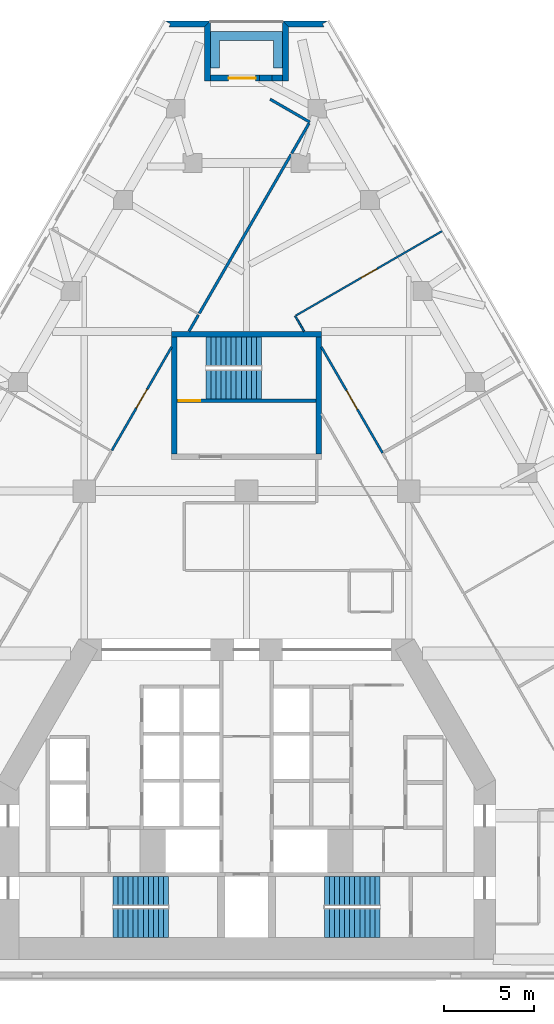
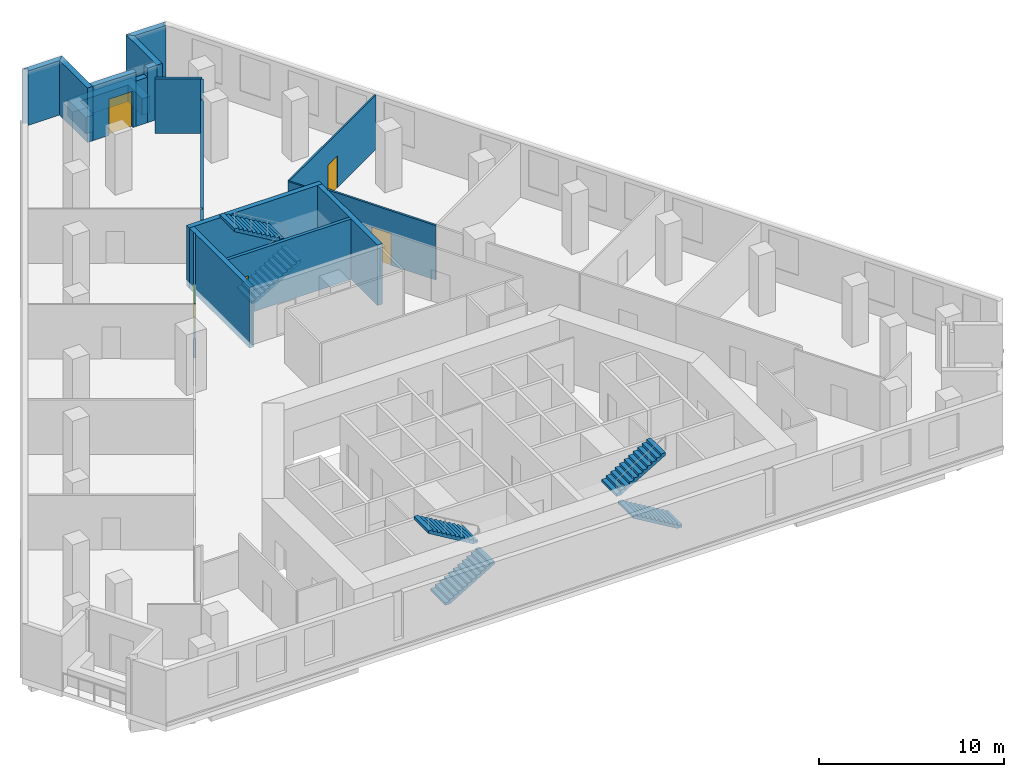
# One storey, part 8 of 9: 20 walls, 6 stair flights, 5 doors, 5 openings, 3 elements without a shape of their own.
"""IFC4 building model written with IfcOpenShell, lengths in metres."""

import ifcopenshell
import ifcopenshell.guid

model = None  # the IFC model being written
_history = None  # IfcOwnerHistory: only IFC2X3 demands one
_inside = {}  # id of a spatial element -> (the spatial element, [elements in it])
_under = {}  # id of a project, library or spatial element -> (it, [spatial elements below it])
_declared = {}  # id of a project -> (the project, [libraries it declares])
_typed = {}  # id of a type object -> (the type object, [elements of that type])
_made_of = {}  # id of a material, layer set ... -> (it, [elements and type objects made of it])


def new_model(schema):
    """Start an empty IFC model of exactly this schema.

    Asked for "IFC4X3", IfcOpenShell would pick the latest addendum, in which some entities
    have other attributes; the version numbers below select the first issue.
    IFC2X3 requires an IfcOwnerHistory on every rooted entity: one is made here for all.
    """
    global model, _history
    if schema == "IFC4X3":
        model = ifcopenshell.file(schema_version=(4, 3, 0, 0))
    else:
        model = ifcopenshell.file(schema=schema)
    _inside.clear()
    _under.clear()
    _declared.clear()
    _typed.clear()
    _made_of.clear()
    _history = None
    if model.schema == "IFC2X3":
        org = make("IfcOrganization", Name="unknown")
        user = make(
            "IfcPersonAndOrganization",
            ThePerson=make("IfcPerson", FamilyName="unknown"),
            TheOrganization=org,
        )
        app = make(
            "IfcApplication",
            ApplicationDeveloper=org,
            Version="unknown",
            ApplicationFullName="unknown",
            ApplicationIdentifier="unknown",
        )
        _history = make(
            "IfcOwnerHistory",
            OwningUser=user,
            OwningApplication=app,
            ChangeAction="ADDED",
            CreationDate=0,
        )
    return model


def make(cls, **values):
    """One entity of the class cls with the attributes given. An attribute that is None is left unset."""
    return model.create_entity(
        cls, **{name: value for name, value in values.items() if value is not None}
    )


def rooted(cls, **values):
    """An entity with a GlobalId (a new one), such as an element, a storey or a relation."""
    return make(cls, GlobalId=ifcopenshell.guid.new(), OwnerHistory=_history, **values)


def si_unit(unit_type, name, prefix=None):
    """IfcSIUnit, for example si_unit("LENGTHUNIT", "METRE", prefix="MILLI")."""
    return make("IfcSIUnit", UnitType=unit_type, Prefix=prefix, Name=name)


def assignment(units):
    """IfcUnitAssignment: the units of a project."""
    return None if units is None else make("IfcUnitAssignment", Units=units)


def point(xyz):
    """IfcCartesianPoint."""
    return None if xyz is None else make("IfcCartesianPoint", Coordinates=xyz)


def direction(xyz):
    """IfcDirection."""
    return None if xyz is None else make("IfcDirection", DirectionRatios=xyz)


def frame(location, z_axis=None, x_axis=None):
    """IfcAxis2Placement3D, a coordinate frame: its origin and axes. An axis left out is left unset."""
    return make(
        "IfcAxis2Placement3D",
        Location=point(location),
        Axis=direction(z_axis),
        RefDirection=direction(x_axis),
    )


def frame_2d(location, x_axis=None):
    """IfcAxis2Placement2D, a coordinate frame in the plane: its origin and x axis."""
    return make(
        "IfcAxis2Placement2D", Location=point(location), RefDirection=direction(x_axis)
    )


def origin():
    """The frame at (0, 0, 0) with its axes left unset."""
    return frame((0.0, 0.0, 0.0))


def place(relative_to, where):
    """IfcLocalPlacement: puts the frame where relative to a parent placement (None: the world)."""
    return make(
        "IfcLocalPlacement", PlacementRelTo=relative_to, RelativePlacement=where
    )


def context(
    kind, dimensions, precision=None, world=None, true_north=None, identifier=None
):
    """IfcGeometricRepresentationContext, for example the 3D "Model" context."""
    return make(
        "IfcGeometricRepresentationContext",
        ContextIdentifier=identifier,
        ContextType=kind,
        CoordinateSpaceDimension=dimensions,
        Precision=precision,
        WorldCoordinateSystem=world,
        TrueNorth=true_north,
    )


def subcontext(parent, identifier, kind, view, scale=None):
    """IfcGeometricRepresentationSubContext, for example "Body" below "Model"."""
    return make(
        "IfcGeometricRepresentationSubContext",
        ContextIdentifier=identifier,
        ContextType=kind,
        ParentContext=parent,
        TargetScale=scale,
        TargetView=view,
    )


def project(units=None, contexts=None):
    """IfcProject with its units and contexts."""
    return rooted(
        "IfcProject",
        Name="project",
        RepresentationContexts=contexts,
        UnitsInContext=assignment(units),
    )


def spatial(cls, under=None, at=None, **own):
    """A site, building, storey or space (cls), placed at a placement, below another one or the project."""
    s = rooted(cls, ObjectPlacement=at, **own)
    if under is not None:
        _under.setdefault(under.id(), (under, []))[1].append(s)
    return s


def polyline(points):
    """IfcPolyline through the points."""
    return make("IfcPolyline", Points=[point(p) for p in points])


def profile(cls, at=None, kind="AREA", **sizes):
    """A parametric profile (cls). Its sizes go by their IFC names, for example OverallWidth=200.0."""
    return make(cls, ProfileType=kind, Position=at, **sizes)


def rectangle(**sizes):
    """IfcRectangleProfileDef."""
    return profile("IfcRectangleProfileDef", **sizes)


def outline(outer, holes=None, kind="AREA"):
    """IfcArbitraryClosedProfileDef: a profile drawn as a closed curve; with holes, ...WithVoids."""
    if holes is None:
        return make("IfcArbitraryClosedProfileDef", ProfileType=kind, OuterCurve=outer)
    return make(
        "IfcArbitraryProfileDefWithVoids",
        ProfileType=kind,
        OuterCurve=outer,
        InnerCurves=holes,
    )


def extrude(swept, where, along, depth):
    """IfcExtrudedAreaSolid: the profile swept, set in the frame where, extruded along a direction by depth."""
    return make(
        "IfcExtrudedAreaSolid",
        SweptArea=swept,
        Position=where,
        ExtrudedDirection=direction(along),
        Depth=depth,
    )


def shape(context_of_items, identifier, shape_type, items):
    """IfcShapeRepresentation: the items that make up one representation, for example the "Body"."""
    return make(
        "IfcShapeRepresentation",
        ContextOfItems=context_of_items,
        RepresentationIdentifier=identifier,
        RepresentationType=shape_type,
        Items=items,
    )


def material(Name=None, Category=None):
    """IfcMaterial."""
    return make("IfcMaterial", Name=Name, Category=Category)


def layer(
    of_material, thickness, ventilated=None, Name=None, Category=None, Priority=None
):
    """IfcMaterialLayer: one layer of a wall or slab, of a material (None: an air gap)."""
    return make(
        "IfcMaterialLayer",
        Material=of_material,
        LayerThickness=thickness,
        IsVentilated=ventilated,
        Name=Name,
        Category=Category,
        Priority=Priority,
    )


def layer_set(layers, Name=None):
    """IfcMaterialLayerSet."""
    return make("IfcMaterialLayerSet", MaterialLayers=layers, LayerSetName=Name)


def made_of(thing, what):
    """Note that an element or type object is made of a material, layer set ...; save() writes the relation."""
    if what is not None:
        _made_of.setdefault(what.id(), (what, []))[1].append(thing)
    return thing


def type_object(cls, material=None, **own):
    """A type object (cls), such as IfcWallType, which elements share."""
    return made_of(rooted(cls, **own), material)


def element(
    cls,
    number,
    at=None,
    inside=None,
    cuts=None,
    type_object=None,
    material=None,
    context=None,
    identifier="Body",
    shape_type=None,
    held_by="IfcProductDefinitionShape",
    body=None,
    shapes=None,
    **own,
):
    """One element of the class cls, such as IfcWall. Its Tag is "e" and its number.

    at: its placement. inside: the storey or other place that contains it. cuts: it is an
    opening in that element (IfcRelVoidsElement). A single representation is given by context,
    identifier, shape_type and body (its items); several are given by shapes. held_by: the class
    of the entity that holds the representations. save() writes the other relations.
    """
    e = rooted(cls, Tag="e%d" % number, ObjectPlacement=at, **own)
    if body is not None:
        shapes = [shape(context, identifier, shape_type, body)]
    if shapes is not None:
        e.Representation = make(held_by, Representations=shapes)
    if inside is not None:
        _inside.setdefault(inside.id(), (inside, []))[1].append(e)
    if cuts is not None:
        rooted(
            "IfcRelVoidsElement", RelatingBuildingElement=cuts, RelatedOpeningElement=e
        )
    if type_object is not None:
        _typed.setdefault(type_object.id(), (type_object, []))[1].append(e)
    return made_of(e, material)


def fill(opening, filler):
    """IfcRelFillsElement: the door or window that sits in an opening."""
    return rooted(
        "IfcRelFillsElement",
        RelatingOpeningElement=opening,
        RelatedBuildingElement=filler,
    )


def aggregate(whole, parts):
    """IfcRelAggregates: a whole, such as a stair, and the parts it consists of."""
    return rooted("IfcRelAggregates", RelatingObject=whole, RelatedObjects=parts)


def save(model, path):
    """Write the relations noted so far, then the file.

    IfcRelAggregates (storeys below a building ...), IfcRelContainedInSpatialStructure (elements
    in a storey), IfcRelDefinesByType, IfcRelAssociatesMaterial and IfcRelDeclares: one each for
    every whole, place, type object, material and project.
    """
    for whole, parts in _under.values():
        aggregate(whole, parts)
    for where, things in _inside.values():
        rooted(
            "IfcRelContainedInSpatialStructure",
            RelatedElements=things,
            RelatingStructure=where,
        )
    for kind, things in _typed.values():
        rooted("IfcRelDefinesByType", RelatedObjects=things, RelatingType=kind)
    for what, things in _made_of.values():
        rooted("IfcRelAssociatesMaterial", RelatedObjects=things, RelatingMaterial=what)
    for by, libraries in _declared.values():
        rooted("IfcRelDeclares", RelatingContext=by, RelatedDefinitions=libraries)
    model.write(path)


model = new_model("IFC4")

# Units and contexts
model_context = context("Model", 3, precision=1e-05, world=origin(), true_north=direction((0.0, 1.0)))
body_context = subcontext(model_context, "Body", "Model", "MODEL_VIEW")
ifc_project = project(units=[si_unit("LENGTHUNIT", "METRE"), si_unit("AREAUNIT", "SQUARE_METRE"), si_unit("VOLUMEUNIT", "CUBIC_METRE"), si_unit("PLANEANGLEUNIT", "RADIAN"), si_unit("MASSUNIT", "GRAM", prefix="KILO")], contexts=[model_context])

# Site, building, storey
site_placement = place(None, origin())
site = spatial("IfcSite", under=ifc_project, at=site_placement, CompositionType="ELEMENT")
building_placement = place(site_placement, origin())
building = spatial("IfcBuilding", under=site, at=building_placement, Name="Fogline Exchange Tower", CompositionType="ELEMENT")
storey_placement = place(building_placement, frame((0.0, 0.0, 104.10009765625)))
storey = spatial("IfcBuildingStorey", under=building, at=storey_placement, Name="L22", CompositionType="ELEMENT", Elevation=104.10009765625)

# Wall, opening, door
ifc_material_1 = material(Name="Concrete C40", Category="concrete")
ifc_layer_1 = layer(ifc_material_1, 0.199951171875)
ifc_layer_set_1 = layer_set([ifc_layer_1], Name="CW20R")
wall_type_1 = type_object("IfcWallType", Name="CW20R", PredefinedType="SOLIDWALL", material=ifc_layer_set_1)
wall_1_placement = place(storey_placement, frame((-3.85009765625, 32.007080078125, -0.400146484375), z_axis=(0.0, 0.0, 1.0), x_axis=(1.0, 0.0, 0.0)))
wall_1 = element("IfcWall", 1, at=wall_1_placement, inside=storey, type_object=wall_type_1, Name="Stair enclosure wall ST3", PredefinedType="SOLIDWALL", context=body_context, shape_type="SweptSolid", body=[
    extrude(rectangle(XDim=7.7001953125, YDim=0.199951171875, at=frame_2d((3.85009765625, 0.0))), origin(), (0.0, 0.0, 1.0), 4.0),
])
opening_1_placement = place(wall_1_placement, frame((0.10009765625, 0.0, 0.39990234375)))
opening_1 = element("IfcOpeningElement", 2, at=opening_1_placement, cuts=wall_1, Name="Opening T06-C023", PredefinedType="OPENING", context=body_context, shape_type="SweptSolid", body=[
    extrude(rectangle(XDim=1.199951171875, YDim=2.10009765625, at=frame_2d((0.60009765625, 1.050048828125))), frame((0.0, 0.10986328125, 0.0), z_axis=(0.0, -1.0, 0.0), x_axis=(1.0, 0.0, 0.0)), (0.0, 0.0, 1.0), 0.219970703125),
])
ifc_material_2 = material(Name="Steel and timber fire door", Category="steel")
door_type_1 = type_object("IfcDoorType", Name="D-ST1", OperationType="SINGLE_SWING_LEFT", PredefinedType="DOOR", material=ifc_material_2)
door_1_placement = place(opening_1_placement, origin())
door_1 = element("IfcDoor", 3, at=door_1_placement, inside=storey, type_object=door_type_1, Name="Stair door ST3", OperationType="SINGLE_SWING_LEFT", OverallHeight=2.10009765625, OverallWidth=1.199951171875, PredefinedType="DOOR", context=body_context, shape_type="SweptSolid", body=[
    extrude(rectangle(XDim=1.199951171875, YDim=2.10009765625, at=frame_2d((0.60009765625, 1.050048828125))), frame((0.0, 0.02490234375, 0.0), z_axis=(0.0, -1.0, 0.0), x_axis=(1.0, 0.0, 0.0)), (0.0, 0.0, 1.0), 0.050048828125),
])
fill(opening_1, door_1)

# Walls
ifc_layer_2 = layer(ifc_material_1, 0.300048828125)
ifc_layer_set_2 = layer_set([ifc_layer_2], Name="CW30")
wall_type_2 = type_object("IfcWallType", Name="CW30", PredefinedType="SOLIDWALL", material=ifc_layer_set_2)
wall_2_placement = place(storey_placement, frame((-4.14990234375, 35.70703125, -0.400146484375), z_axis=(0.0, 0.0, 1.0), x_axis=(1.0, 0.0, 0.0)))
element("IfcWall", 4, at=wall_2_placement, inside=storey, type_object=wall_type_2, Name="Stair enclosure wall ST3", PredefinedType="SOLIDWALL", context=body_context, shape_type="SweptSolid", body=[
    extrude(rectangle(XDim=8.2998046875, YDim=0.300048828125, at=frame_2d((4.14990234375, 0.0))), origin(), (0.0, 0.0, 1.0), 4.0),
])
for number, where, z_axis, x_axis, name in (
    (5, (-4.0, 29.056884765625, -0.400146484375), (0.0, 0.0, 1.0), (0.0, 1.0, 0.0), "Stair enclosure wall ST3"),
    (6, (4.0, 29.056884765625, -0.400146484375), (0.0, 0.0, 1.0), (0.0, 1.0, 0.0), "Stair enclosure wall ST3"),
):
    element("IfcWall", number, at=place(storey_placement, frame(where, z_axis=z_axis, x_axis=x_axis)), inside=storey, type_object=wall_type_2, Name=name, PredefinedType="SOLIDWALL", context=body_context, shape_type="SweptSolid", body=[
        extrude(rectangle(XDim=6.5, YDim=0.300048828125, at=frame_2d((3.25, 0.0))), origin(), (0.0, 0.0, 1.0), 4.0),
    ])
ifc_material_3 = material(Name="Brick masonry", Category="masonry")
ifc_layer_3 = layer(ifc_material_3, 0.340087890625)
ifc_layer_set_3 = layer_set([ifc_layer_3], Name="FW1")
wall_type_3 = type_object("IfcWallType", Name="FW1", PredefinedType="SOLIDWALL", material=ifc_layer_set_3)
wall_3_placement = place(storey_placement, origin())
element("IfcWall", 7, at=wall_3_placement, inside=storey, type_object=wall_type_3, Name="Brick wall L22 N-c1", PredefinedType="SOLIDWALL", context=body_context, shape_type="SweptSolid", body=[
    extrude(outline(polyline([(1.9990234375, 53.067138671875), (4.5009765625, 53.067138671875), (4.501220703125, 53.066650390625), (4.206298828125, 52.896484375), (4.3046875, 52.72607421875), (2.33984375, 52.72607421875), (1.998779296875, 53.06689453125), (1.9990234375, 53.067138671875)])), origin(), (0.0, 0.0, 1.0), 3.599853515625),
])
wall_4_placement = place(storey_placement, origin())
element("IfcWall", 8, at=wall_4_placement, inside=storey, type_object=wall_type_3, Name="Brick wall L22 N-s1", PredefinedType="SOLIDWALL", context=body_context, shape_type="SweptSolid", body=[
    extrude(outline(polyline([(2.340576171875, 49.72607421875), (1.99951171875, 49.72607421875), (1.99951171875, 53.067626953125), (1.999755859375, 53.06787109375), (2.340576171875, 52.726806640625), (2.340576171875, 49.72607421875)])), origin(), (0.0, 0.0, 1.0), 3.599853515625),
])
wall_5_placement = place(storey_placement, frame((2.0, 49.896728515625, 0.0), z_axis=(0.0, 0.0, 1.0), x_axis=(-1.0, 0.0, 0.0)))
element("IfcWall", 9, at=wall_5_placement, inside=storey, type_object=wall_type_3, Name="Brick wall L22 N-bk", PredefinedType="SOLIDWALL", context=body_context, shape_type="SweptSolid", body=[
    extrude(rectangle(XDim=0.589599609375, YDim=0.340087890625, at=frame_2d((0.294921875, 0.0))), origin(), (0.0, 0.0, 1.0), 3.599853515625),
])
wall_6_placement = place(storey_placement, frame((1.410400390625, 49.896728515625, 0.0), z_axis=(0.0, 0.0, 1.0), x_axis=(-1.0, 0.0, 0.0)))
element("IfcWall", 10, at=wall_6_placement, inside=storey, type_object=wall_type_3, Name="Brick wall L22 N-bk", PredefinedType="SOLIDWALL", context=body_context, shape_type="SweptSolid", body=[
    extrude(rectangle(XDim=0.701904296875, YDim=0.340087890625, at=frame_2d((0.35107421875, 0.0))), origin(), (0.0, 0.0, 1.0), 3.0),
])

# Wall, opening, door
wall_7_placement = place(storey_placement, frame((0.70849609375, 49.896728515625, 0.0), z_axis=(0.0, 0.0, 1.0), x_axis=(-1.0, 0.0, 0.0)))
wall_7 = element("IfcWall", 11, at=wall_7_placement, inside=storey, type_object=wall_type_3, Name="Brick wall L22 N-bk", PredefinedType="SOLIDWALL", context=body_context, shape_type="SweptSolid", body=[
    extrude(rectangle(XDim=2.70849609375, YDim=0.340087890625, at=frame_2d((1.354248046875, 0.0))), origin(), (0.0, 0.0, 1.0), 3.599853515625),
])
opening_2_placement = place(wall_7_placement, frame((0.199951171875, 0.0, 0.0)))
opening_2 = element("IfcOpeningElement", 12, at=opening_2_placement, cuts=wall_7, Name="Opening T06-E141", PredefinedType="OPENING", context=body_context, shape_type="SweptSolid", body=[
    extrude(rectangle(XDim=1.5, YDim=2.39990234375, at=frame_2d((0.75, 1.199951171875))), frame((0.0, 0.18017578125, 0.0), z_axis=(0.0, -1.0, 0.0), x_axis=(1.0, 0.0, 0.0)), (0.0, 0.0, 1.0), 0.360107421875),
])
ifc_material_4 = material(Name="Aluminium and glass", Category="aluminium")
door_type_2 = type_object("IfcDoorType", Name="ED4", OperationType="SINGLE_SWING_LEFT", PredefinedType="DOOR", material=ifc_material_4)
door_2_placement = place(opening_2_placement, frame((1.5, 0.0, 0.0), z_axis=(0.0, 0.0, 1.0), x_axis=(-1.0, 0.0, 0.0)))
door_2 = element("IfcDoor", 13, at=door_2_placement, inside=storey, type_object=door_type_2, Name="Balcony door L22 N", OperationType="DOUBLE_DOOR_SINGLE_SWING", OverallHeight=2.39990234375, OverallWidth=1.5, PredefinedType="DOOR", context=body_context, shape_type="SweptSolid", body=[
    extrude(rectangle(XDim=1.5, YDim=2.39990234375, at=frame_2d((0.75, 1.199951171875))), frame((0.0, 0.02490234375, 0.0), z_axis=(0.0, -1.0, 0.0), x_axis=(1.0, 0.0, 0.0)), (0.0, 0.0, 1.0), 0.050048828125),
])
fill(opening_2, door_2)

# Walls
wall_8_placement = place(storey_placement, origin())
element("IfcWall", 14, at=wall_8_placement, inside=storey, type_object=wall_type_3, Name="Brick wall L22 N-s2", PredefinedType="SOLIDWALL", context=body_context, shape_type="SweptSolid", body=[
    extrude(outline(polyline([(-1.99951171875, 53.067626953125), (-1.99951171875, 49.72607421875), (-2.340576171875, 49.72607421875), (-2.340576171875, 52.726806640625), (-1.999755859375, 53.06787109375), (-1.99951171875, 53.067626953125)])), origin(), (0.0, 0.0, 1.0), 3.599853515625),
])
wall_9_placement = place(storey_placement, origin())
element("IfcWall", 15, at=wall_9_placement, inside=storey, type_object=wall_type_3, Name="Brick wall L22 N-c2", PredefinedType="SOLIDWALL", context=body_context, shape_type="SweptSolid", body=[
    extrude(outline(polyline([(-4.3046875, 52.72607421875), (-4.206298828125, 52.896484375), (-4.501220703125, 53.066650390625), (-4.5009765625, 53.067138671875), (-1.9990234375, 53.067138671875), (-1.998779296875, 53.06689453125), (-2.33984375, 52.72607421875), (-4.3046875, 52.72607421875)])), origin(), (0.0, 0.0, 1.0), 3.599853515625),
])
ifc_material_5 = material(Name="Concrete C30", Category="concrete")
ifc_layer_4 = layer(ifc_material_5, 0.199951171875)
ifc_layer_set_4 = layer_set([ifc_layer_4], Name="PL1")
wall_type_4 = type_object("IfcWallType", Name="PL1", PredefinedType="USERDEFINED", material=ifc_layer_set_4)
wall_10_placement = place(storey_placement, origin())
element("IfcWall", 16, at=wall_10_placement, inside=storey, type_object=wall_type_4, Name="PLANTER balcony L22 N", ObjectType="PLANTER", PredefinedType="USERDEFINED", context=body_context, shape_type="SweptSolid", body=[
    extrude(outline(polyline([(-1.5, 52.466796875), (-2.0, 52.466796875), (-2.0, 51.966796875), (-2.0, 50.466796875), (-1.5, 50.466796875), (-1.5, 51.966796875), (1.5, 51.966796875), (1.5, 50.466796875), (2.0, 50.466796875), (2.0, 51.966796875), (2.0, 52.466796875), (1.5, 52.466796875), (-1.5, 52.466796875)])), origin(), (0.0, 0.0, 1.0), 1.099853515625),
])
ifc_material_6 = material(Name="Plasterboard partition, 2 layers each side on steel studs", Category="steel")
ifc_layer_5 = layer(ifc_material_6, 0.10009765625)
ifc_layer_set_5 = layer_set([ifc_layer_5], Name="PW1")
wall_type_5 = type_object("IfcWallType", Name="PW1", PredefinedType="PARTITIONING", material=ifc_layer_set_5)
wall_11_placement = place(storey_placement, frame((3.189208984375, 35.85693359375, 0.0), z_axis=(0.0, 0.0, 1.0), x_axis=(-0.499901420094, 0.866082311439, 0.0)))
element("IfcWall", 17, at=wall_11_placement, inside=storey, type_object=wall_type_5, Name="wall-L22-W032", PredefinedType="PARTITIONING", context=body_context, shape_type="SweptSolid", body=[
    extrude(rectangle(XDim=0.984130859375, YDim=0.10009765625, at=frame_2d((0.4921875, 0.0))), origin(), (0.0, 0.0, 1.0), 3.599853515625),
])

# Wall, opening, door
wall_12_placement = place(storey_placement, frame((2.740478515625, 36.734130859375, 0.0), z_axis=(0.0, 0.0, 1.0), x_axis=(0.866025136707, 0.500000462592, 0.0)))
wall_12 = element("IfcWall", 18, at=wall_12_placement, inside=storey, type_object=wall_type_5, Name="wall-L22-W033", PredefinedType="PARTITIONING", context=body_context, shape_type="SweptSolid", body=[
    extrude(rectangle(XDim=9.35009765625, YDim=0.10009765625, at=frame_2d((4.675048828125, 0.0))), origin(), (0.0, 0.0, 1.0), 3.599853515625),
])
opening_3_placement = place(wall_12_placement, frame((4.175048828125, 0.0, 0.0)))
opening_3 = element("IfcOpeningElement", 19, at=opening_3_placement, cuts=wall_12, Name="Opening T06-D014", PredefinedType="OPENING", context=body_context, shape_type="SweptSolid", body=[
    extrude(rectangle(XDim=1.0, YDim=2.10009765625, at=frame_2d((0.5, 1.050048828125))), frame((0.0, 0.06005859375, 0.0), z_axis=(0.0, -1.0, 0.0), x_axis=(1.0, 0.0, 0.0)), (0.0, 0.0, 1.0), 0.1201171875),
])
ifc_material_7 = material(Name="Timber door leaf with steel frame", Category="steel")
door_type_3 = type_object("IfcDoorType", Name="D1", OperationType="SINGLE_SWING_LEFT", PredefinedType="DOOR", material=ifc_material_7)
door_3_placement = place(opening_3_placement, frame((1.0, 0.0, 0.0), z_axis=(0.0, 0.0, 1.0), x_axis=(-1.0, 0.0, 0.0)))
door_3 = element("IfcDoor", 20, at=door_3_placement, inside=storey, type_object=door_type_3, Name="door-L22-D014", OperationType="SINGLE_SWING_RIGHT", OverallHeight=2.10009765625, OverallWidth=1.0, PredefinedType="DOOR", context=body_context, shape_type="SweptSolid", body=[
    extrude(rectangle(XDim=1.0, YDim=2.10009765625, at=frame_2d((0.5, 1.050048828125))), frame((0.0, 0.02490234375, 0.0), z_axis=(0.0, -1.0, 0.0), x_axis=(1.0, 0.0, 0.0)), (0.0, 0.0, 1.0), 0.050048828125),
])
fill(opening_3, door_3)

ifc_material_8 = material(Name="Plasterboard corridor partition with mineral wool, 2 layers each side")
ifc_layer_6 = layer(ifc_material_8, 0.125)
ifc_layer_set_6 = layer_set([ifc_layer_6], Name="PW2")
wall_type_6 = type_object("IfcWallType", Name="PW2", PredefinedType="PARTITIONING", material=ifc_layer_set_6)
wall_13_placement = place(storey_placement, frame((-7.460693359375, 29.25830078125, 0.0), z_axis=(0.0, 0.0, 1.0), x_axis=(0.49998947903, 0.866031477984, 0.0)))
wall_13 = element("IfcWall", 21, at=wall_13_placement, inside=storey, type_object=wall_type_6, Name="wall-L22-W010", PredefinedType="PARTITIONING", context=body_context, shape_type="SweptSolid", body=[
    extrude(rectangle(XDim=6.621826171875, YDim=0.125, at=frame_2d((3.31103515625, 0.0))), origin(), (0.0, 0.0, 1.0), 3.599853515625),
])
opening_4_placement = place(wall_13_placement, frame((2.7109375, 0.0, 0.0)))
opening_4 = element("IfcOpeningElement", 22, at=opening_4_placement, cuts=wall_13, Name="Opening T06-D004", PredefinedType="OPENING", context=body_context, shape_type="SweptSolid", body=[
    extrude(rectangle(XDim=1.199951171875, YDim=2.10009765625, at=frame_2d((0.60009765625, 1.050048828125))), frame((0.0, 0.072509765625, 0.0), z_axis=(0.0, -1.0, 0.0), x_axis=(1.0, 0.0, 0.0)), (0.0, 0.0, 1.0), 0.14501953125),
])
ifc_material_9 = material(Name="Fire-rated glazed door leaf with steel frame", Category="steel")
door_type_4 = type_object("IfcDoorType", Name="D5", OperationType="SINGLE_SWING_LEFT", PredefinedType="DOOR", material=ifc_material_9)
door_4_placement = place(opening_4_placement, origin())
door_4 = element("IfcDoor", 23, at=door_4_placement, inside=storey, type_object=door_type_4, Name="door-L22-D004", OperationType="SINGLE_SWING_LEFT", OverallHeight=2.10009765625, OverallWidth=1.199951171875, PredefinedType="DOOR", context=body_context, shape_type="SweptSolid", body=[
    extrude(rectangle(XDim=1.199951171875, YDim=2.10009765625, at=frame_2d((0.60009765625, 1.050048828125))), frame((0.0, 0.02490234375, 0.0), z_axis=(0.0, -1.0, 0.0), x_axis=(1.0, 0.0, 0.0)), (0.0, 0.0, 1.0), 0.050048828125),
])
fill(opening_4, door_4)

wall_14_placement = place(storey_placement, frame((4.14990234375, 34.992919921875, 0.0), z_axis=(0.0, 0.0, 1.0), x_axis=(0.500019286615, -0.866014268366, 0.0)))
wall_14 = element("IfcWall", 24, at=wall_14_placement, inside=storey, type_object=wall_type_6, Name="wall-L22-W022", PredefinedType="PARTITIONING", context=body_context, shape_type="SweptSolid", body=[
    extrude(rectangle(XDim=6.787353515625, YDim=0.125, at=frame_2d((3.3935546875, 0.0))), origin(), (0.0, 0.0, 1.0), 3.599853515625),
])
opening_5_placement = place(wall_14_placement, frame((2.793701171875, 0.0, 0.0)))
opening_5 = element("IfcOpeningElement", 25, at=opening_5_placement, cuts=wall_14, Name="Opening T06-D010", PredefinedType="OPENING", context=body_context, shape_type="SweptSolid", body=[
    extrude(rectangle(XDim=1.199951171875, YDim=2.10009765625, at=frame_2d((0.60009765625, 1.050048828125))), frame((0.0, 0.072509765625, 0.0), z_axis=(0.0, -1.0, 0.0), x_axis=(1.0, 0.0, 0.0)), (0.0, 0.0, 1.0), 0.14501953125),
])
door_5_placement = place(opening_5_placement, origin())
door_5 = element("IfcDoor", 26, at=door_5_placement, inside=storey, type_object=door_type_4, Name="door-L22-D010", OperationType="SINGLE_SWING_RIGHT", OverallHeight=2.10009765625, OverallWidth=1.199951171875, PredefinedType="DOOR", context=body_context, shape_type="SweptSolid", body=[
    extrude(rectangle(XDim=1.199951171875, YDim=2.10009765625, at=frame_2d((0.60009765625, 1.050048828125))), frame((0.0, 0.02490234375, 0.0), z_axis=(0.0, -1.0, 0.0), x_axis=(1.0, 0.0, 0.0)), (0.0, 0.0, 1.0), 0.050048828125),
])
fill(opening_5, door_5)

# Walls
ifc_material_10 = material(Name="Plasterboard demising partition with mineral wool and acoustic board")
ifc_layer_7 = layer(ifc_material_10, 0.14990234375)
ifc_layer_set_7 = layer_set([ifc_layer_7], Name="PW3")
wall_type_7 = type_object("IfcWallType", Name="PW3", PredefinedType="PARTITIONING", material=ifc_layer_set_7)
wall_15_placement = place(storey_placement, frame((-2.614501953125, 36.8525390625, 0.0), z_axis=(0.0, 0.0, 1.0), x_axis=(0.500011041907, 0.866019028643, 0.0)))
element("IfcWall", 27, at=wall_15_placement, inside=storey, type_object=wall_type_7, Name="wall-L22-W034", PredefinedType="PARTITIONING", context=body_context, shape_type="SweptSolid", body=[
    extrude(rectangle(XDim=10.178955078125, YDim=0.14990234375, at=frame_2d((5.08935546875, 0.0))), origin(), (0.0, 0.0, 1.0), 3.599853515625),
])
wall_16_placement = place(storey_placement, frame((2.506103515625, 45.7216796875, 0.0), z_axis=(0.0, 0.0, 1.0), x_axis=(0.499963437846, 0.866046511925, 0.0)))
element("IfcWall", 28, at=wall_16_placement, inside=storey, type_object=wall_type_7, Name="wall-L22-W035", PredefinedType="PARTITIONING", context=body_context, shape_type="SweptSolid", body=[
    extrude(rectangle(XDim=1.929443359375, YDim=0.14990234375, at=frame_2d((0.96484375, 0.0))), origin(), (0.0, 0.0, 1.0), 3.599853515625),
])
wall_17_placement = place(storey_placement, frame((3.50830078125, 47.45751953125, 0.0), z_axis=(0.0, 0.0, 1.0), x_axis=(-0.8660171257, 0.500014337789, 0.0)))
element("IfcWall", 29, at=wall_17_placement, inside=storey, type_object=wall_type_7, Name="wall-L22-W036", PredefinedType="PARTITIONING", context=body_context, shape_type="SweptSolid", body=[
    extrude(rectangle(XDim=2.5341796875, YDim=0.14990234375, at=frame_2d((1.26708984375, 0.0))), origin(), (0.0, 0.0, 1.0), 3.599853515625),
])
wall_18_placement = place(storey_placement, frame((-3.189208984375, 35.85693359375, 0.0), z_axis=(0.0, 0.0, 1.0), x_axis=(0.500044870432, 0.865999496279, 0.0)))
element("IfcWall", 30, at=wall_18_placement, inside=storey, type_object=wall_type_7, Name="wall-L22-W037", PredefinedType="PARTITIONING", context=body_context, shape_type="SweptSolid", body=[
    extrude(rectangle(XDim=1.048828125, YDim=0.14990234375, at=frame_2d((0.5244140625, 0.0))), origin(), (0.0, 0.0, 1.0), 3.599853515625),
])

# Stair, stair flights
stair_type = type_object("IfcStairType", Name="STR24-1667", PredefinedType="HALF_TURN_STAIR", material=ifc_material_1)
stair_1_placement = place(storey_placement, origin())
stair_1 = element("IfcStair", 31, at=stair_1_placement, inside=storey, type_object=stair_type, Name="Stair ST1", PredefinedType="HALF_TURN_STAIR")
stair_flight_type = type_object("IfcStairFlightType", Name="SF12-1667", PredefinedType="STRAIGHT", material=ifc_material_1)
stair_flight_1_placement = place(storey_placement, frame((-7.39990234375, 3.050048828125, 0.0), z_axis=(0.0, 0.0, 1.0), x_axis=(1.0, 0.0, 0.0)))
stair_flight_1 = element("IfcStairFlight", 32, at=stair_flight_1_placement, type_object=stair_flight_type, Name="ST1 flight 1", NumberOfRisers=12, NumberOfTreads=11, PredefinedType="STRAIGHT", RiserHeight=0.166666667, TreadLength=0.28, context=body_context, shape_type="SweptSolid", body=[
    extrude(outline(polyline([(0.0, 0.0), (0.0, 0.166748046875), (0.280029296875, 0.166748046875), (0.280029296875, 0.333251953125), (0.56005859375, 0.333251953125), (0.56005859375, 0.5), (0.840087890625, 0.5), (0.840087890625, 0.666748046875), (1.1201171875, 0.666748046875), (1.1201171875, 0.833251953125), (1.39990234375, 0.833251953125), (1.39990234375, 1.0), (1.679931640625, 1.0), (1.679931640625, 1.166748046875), (1.9599609375, 1.166748046875), (1.9599609375, 1.333251953125), (2.239990234375, 1.333251953125), (2.239990234375, 1.5), (2.52001953125, 1.5), (2.52001953125, 1.666748046875), (2.800048828125, 1.666748046875), (2.800048828125, 1.833251953125), (3.080078125, 1.833251953125), (3.080078125, 2.0), (3.080078125, 1.658935546875), (0.29296875, 0.0), (0.0, 0.0)])), frame((0.0, 0.800048828125, 0.0), z_axis=(0.0, -1.0, 0.0), x_axis=(1.0, 0.0, 0.0)), (0.0, 0.0, 1.0), 1.60009765625),
])
stair_flight_2_placement = place(storey_placement, frame((-4.320068359375, 4.85009765625, 2.0), z_axis=(0.0, 0.0, 1.0), x_axis=(-1.0, 0.0, 0.0)))
stair_flight_2 = element("IfcStairFlight", 33, at=stair_flight_2_placement, type_object=stair_flight_type, Name="ST1 flight 2", NumberOfRisers=12, NumberOfTreads=11, PredefinedType="STRAIGHT", RiserHeight=0.166666667, TreadLength=0.28, context=body_context, shape_type="SweptSolid", body=[
    extrude(outline(polyline([(0.0, 0.0), (0.0, 0.166748046875), (0.280029296875, 0.166748046875), (0.280029296875, 0.333251953125), (0.56005859375, 0.333251953125), (0.56005859375, 0.5), (0.840087890625, 0.5), (0.840087890625, 0.666748046875), (1.1201171875, 0.666748046875), (1.1201171875, 0.833251953125), (1.39990234375, 0.833251953125), (1.39990234375, 1.0), (1.679931640625, 1.0), (1.679931640625, 1.166748046875), (1.9599609375, 1.166748046875), (1.9599609375, 1.333251953125), (2.239990234375, 1.333251953125), (2.239990234375, 1.5), (2.52001953125, 1.5), (2.52001953125, 1.666748046875), (2.800048828125, 1.666748046875), (2.800048828125, 1.833251953125), (3.080078125, 1.833251953125), (3.080078125, 2.0), (3.080078125, 1.658935546875), (0.29296875, 0.0), (0.0, 0.0)])), frame((0.0, 0.800048828125, 0.0), z_axis=(0.0, -1.0, 0.0), x_axis=(1.0, 0.0, 0.0)), (0.0, 0.0, 1.0), 1.60009765625),
])
aggregate(stair_1, [stair_flight_1, stair_flight_2])

stair_2_placement = place(storey_placement, origin())
stair_2 = element("IfcStair", 34, at=stair_2_placement, inside=storey, type_object=stair_type, Name="Stair ST2", PredefinedType="HALF_TURN_STAIR")
stair_flight_3_placement = place(storey_placement, frame((7.39990234375, 3.050048828125, 0.0), z_axis=(0.0, 0.0, 1.0), x_axis=(-1.0, 0.0, 0.0)))
stair_flight_3 = element("IfcStairFlight", 35, at=stair_flight_3_placement, type_object=stair_flight_type, Name="ST2 flight 1", NumberOfRisers=12, NumberOfTreads=11, PredefinedType="STRAIGHT", RiserHeight=0.166666667, TreadLength=0.28, context=body_context, shape_type="SweptSolid", body=[
    extrude(outline(polyline([(0.0, 0.0), (0.0, 0.166748046875), (0.280029296875, 0.166748046875), (0.280029296875, 0.333251953125), (0.56005859375, 0.333251953125), (0.56005859375, 0.5), (0.840087890625, 0.5), (0.840087890625, 0.666748046875), (1.1201171875, 0.666748046875), (1.1201171875, 0.833251953125), (1.39990234375, 0.833251953125), (1.39990234375, 1.0), (1.679931640625, 1.0), (1.679931640625, 1.166748046875), (1.9599609375, 1.166748046875), (1.9599609375, 1.333251953125), (2.239990234375, 1.333251953125), (2.239990234375, 1.5), (2.52001953125, 1.5), (2.52001953125, 1.666748046875), (2.800048828125, 1.666748046875), (2.800048828125, 1.833251953125), (3.080078125, 1.833251953125), (3.080078125, 2.0), (3.080078125, 1.658935546875), (0.29296875, 0.0), (0.0, 0.0)])), frame((0.0, 0.800048828125, 0.0), z_axis=(0.0, -1.0, 0.0), x_axis=(1.0, 0.0, 0.0)), (0.0, 0.0, 1.0), 1.60009765625),
])
stair_flight_4_placement = place(storey_placement, frame((4.320068359375, 4.85009765625, 2.0), z_axis=(0.0, 0.0, 1.0), x_axis=(1.0, 0.0, 0.0)))
stair_flight_4 = element("IfcStairFlight", 36, at=stair_flight_4_placement, type_object=stair_flight_type, Name="ST2 flight 2", NumberOfRisers=12, NumberOfTreads=11, PredefinedType="STRAIGHT", RiserHeight=0.166666667, TreadLength=0.28, context=body_context, shape_type="SweptSolid", body=[
    extrude(outline(polyline([(0.0, 0.0), (0.0, 0.166748046875), (0.280029296875, 0.166748046875), (0.280029296875, 0.333251953125), (0.56005859375, 0.333251953125), (0.56005859375, 0.5), (0.840087890625, 0.5), (0.840087890625, 0.666748046875), (1.1201171875, 0.666748046875), (1.1201171875, 0.833251953125), (1.39990234375, 0.833251953125), (1.39990234375, 1.0), (1.679931640625, 1.0), (1.679931640625, 1.166748046875), (1.9599609375, 1.166748046875), (1.9599609375, 1.333251953125), (2.239990234375, 1.333251953125), (2.239990234375, 1.5), (2.52001953125, 1.5), (2.52001953125, 1.666748046875), (2.800048828125, 1.666748046875), (2.800048828125, 1.833251953125), (3.080078125, 1.833251953125), (3.080078125, 2.0), (3.080078125, 1.658935546875), (0.29296875, 0.0), (0.0, 0.0)])), frame((0.0, 0.800048828125, 0.0), z_axis=(0.0, -1.0, 0.0), x_axis=(1.0, 0.0, 0.0)), (0.0, 0.0, 1.0), 1.60009765625),
])
aggregate(stair_2, [stair_flight_3, stair_flight_4])

stair_3_placement = place(storey_placement, origin())
stair_3 = element("IfcStair", 37, at=stair_3_placement, inside=storey, type_object=stair_type, Name="Stair ST3", PredefinedType="HALF_TURN_STAIR")
stair_flight_5_placement = place(storey_placement, frame((-2.25, 32.906982421875, 0.0), z_axis=(0.0, 0.0, 1.0), x_axis=(1.0, 0.0, 0.0)))
stair_flight_5 = element("IfcStairFlight", 38, at=stair_flight_5_placement, type_object=stair_flight_type, Name="ST3 flight 1", NumberOfRisers=12, NumberOfTreads=11, PredefinedType="STRAIGHT", RiserHeight=0.166666667, TreadLength=0.28, context=body_context, shape_type="SweptSolid", body=[
    extrude(outline(polyline([(0.0, 0.0), (0.0, 0.166748046875), (0.280029296875, 0.166748046875), (0.280029296875, 0.333251953125), (0.56005859375, 0.333251953125), (0.56005859375, 0.5), (0.840087890625, 0.5), (0.840087890625, 0.666748046875), (1.1201171875, 0.666748046875), (1.1201171875, 0.833251953125), (1.39990234375, 0.833251953125), (1.39990234375, 1.0), (1.679931640625, 1.0), (1.679931640625, 1.166748046875), (1.9599609375, 1.166748046875), (1.9599609375, 1.333251953125), (2.239990234375, 1.333251953125), (2.239990234375, 1.5), (2.52001953125, 1.5), (2.52001953125, 1.666748046875), (2.800048828125, 1.666748046875), (2.800048828125, 1.833251953125), (3.080078125, 1.833251953125), (3.080078125, 2.0), (3.080078125, 1.658935546875), (0.29296875, 0.0), (0.0, 0.0)])), frame((0.0, 0.800048828125, 0.0), z_axis=(0.0, -1.0, 0.0), x_axis=(1.0, 0.0, 0.0)), (0.0, 0.0, 1.0), 1.60009765625),
])
stair_flight_6_placement = place(storey_placement, frame((0.830078125, 34.757080078125, 2.0), z_axis=(0.0, 0.0, 1.0), x_axis=(-1.0, 0.0, 0.0)))
stair_flight_6 = element("IfcStairFlight", 39, at=stair_flight_6_placement, type_object=stair_flight_type, Name="ST3 flight 2", NumberOfRisers=12, NumberOfTreads=11, PredefinedType="STRAIGHT", RiserHeight=0.166666667, TreadLength=0.28, context=body_context, shape_type="SweptSolid", body=[
    extrude(outline(polyline([(0.0, 0.0), (0.0, 0.166748046875), (0.280029296875, 0.166748046875), (0.280029296875, 0.333251953125), (0.56005859375, 0.333251953125), (0.56005859375, 0.5), (0.840087890625, 0.5), (0.840087890625, 0.666748046875), (1.1201171875, 0.666748046875), (1.1201171875, 0.833251953125), (1.39990234375, 0.833251953125), (1.39990234375, 1.0), (1.679931640625, 1.0), (1.679931640625, 1.166748046875), (1.9599609375, 1.166748046875), (1.9599609375, 1.333251953125), (2.239990234375, 1.333251953125), (2.239990234375, 1.5), (2.52001953125, 1.5), (2.52001953125, 1.666748046875), (2.800048828125, 1.666748046875), (2.800048828125, 1.833251953125), (3.080078125, 1.833251953125), (3.080078125, 2.0), (3.080078125, 1.658935546875), (0.29296875, 0.0), (0.0, 0.0)])), frame((0.0, 0.800048828125, 0.0), z_axis=(0.0, -1.0, 0.0), x_axis=(1.0, 0.0, 0.0)), (0.0, 0.0, 1.0), 1.60009765625),
])
aggregate(stair_3, [stair_flight_5, stair_flight_6])

save(model, "model.ifc")
